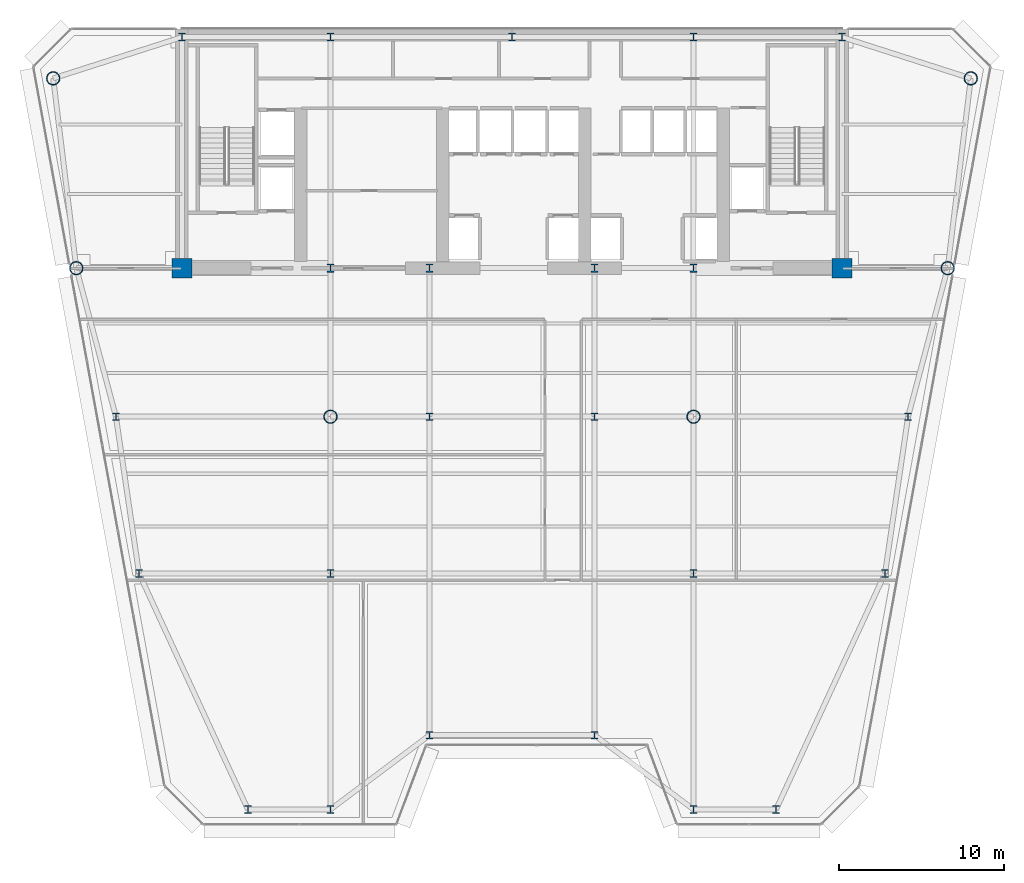
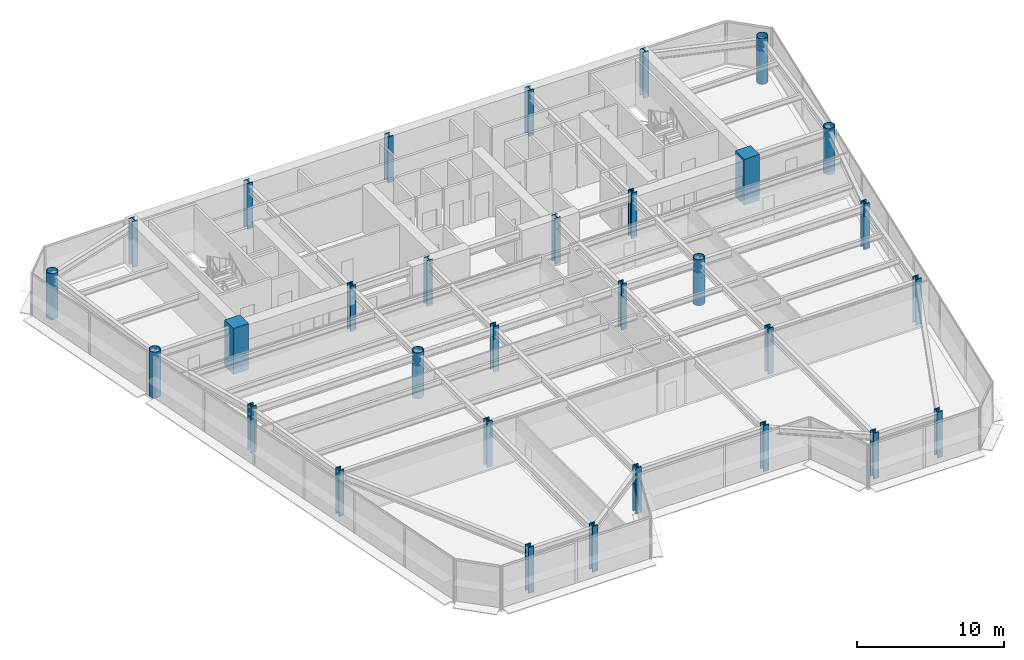
# One storey, part 1 of 17: 31 columns.
"""IFC4 building model written with IfcOpenShell, lengths in metres."""

from ifc_helpers import new_model, si_unit, direction, frame, origin, origin_2d, place, context, subcontext, project, spatial, rectangle, hollow_circle, i_section, extrude, source, transform, mapped, material, material_profile, profile_set, type_object, element, save


model = new_model("IFC4")

# Units and contexts
model_context = context("Model", 3, precision=1e-05, world=origin(), true_north=direction((0.0, 1.0)))
body_context = subcontext(model_context, "Body", "Model", "MODEL_VIEW")
ifc_project = project(units=[si_unit("LENGTHUNIT", "METRE"), si_unit("AREAUNIT", "SQUARE_METRE"), si_unit("VOLUMEUNIT", "CUBIC_METRE"), si_unit("PLANEANGLEUNIT", "RADIAN"), si_unit("MASSUNIT", "GRAM", prefix="KILO")], contexts=[model_context])

# Site, building, storey
site_placement = place(None, origin())
site = spatial("IfcSite", under=ifc_project, at=site_placement, CompositionType="ELEMENT")
building_placement = place(site_placement, origin())
building = spatial("IfcBuilding", under=site, at=building_placement, Name="Vaeldorn Concourse Tower", CompositionType="ELEMENT")
storey_placement = place(building_placement, frame((0.0, 0.0, 165.199951171875)))
storey = spatial("IfcBuildingStorey", under=building, at=storey_placement, Name="L42", CompositionType="ELEMENT", Elevation=165.199951171875)

# Columns
ifc_material_1 = material(Name="Concrete C50/60", Category="concrete")
ifc_material_profile_1 = material_profile(ifc_material_1, rectangle(XDim=1.199951171875, YDim=1.199951171875, at=origin_2d()), Name="RC 1200x1200")
ifc_profile_set_1 = profile_set([ifc_material_profile_1], Name="Concrete C50/60")
column_type_1 = type_object("IfcColumnType", Name="COL-RC1200", PredefinedType="COLUMN", material=ifc_profile_set_1)
shared_shape_1 = source(origin(), body_context, "Body", "SweptSolid", [
    extrude(rectangle(XDim=1.199951171875, YDim=1.199951171875, at=origin_2d()), origin(), (0.0, 0.0, 1.0), 3.800048828125),
])
for number, where, z_axis, x_axis, name in (
    (1, (14.0, 36.5, 0.0), (0.0, 0.0, 1.0), (1.0, 0.0, 0.0), "Column C-FC1 L42"),
    (2, (54.0, 36.5, 0.0), (0.0, 0.0, 1.0), (1.0, 0.0, 0.0), "Column C-FC6 L42"),
):
    element("IfcColumn", number, at=place(storey_placement, frame(where, z_axis=z_axis, x_axis=x_axis)), inside=storey, type_object=column_type_1, Name=name, PredefinedType="COLUMN", context=body_context, shape_type="MappedRepresentation", body=[
        mapped(shared_shape_1, transform((0.0, 0.0, 0.0), scale=1.0)),
    ])
ifc_material_2 = material(Name="Steel S460", Category="steel")
ifc_material_profile_2 = material_profile(ifc_material_2, i_section(OverallWidth=0.431884765625, OverallDepth=0.498046875, WebThickness=0.054931640625, FlangeThickness=0.068115234375, FilletRadius=0.014892578125, at=origin_2d()), Name="HD 400x744")
ifc_profile_set_2 = profile_set([ifc_material_profile_2], Name="Steel S460")
column_type_2 = type_object("IfcColumnType", Name="COL-HD744", PredefinedType="COLUMN", material=ifc_profile_set_2)
shared_shape_2 = source(origin(), body_context, "Body", "SweptSolid", [
    extrude(i_section(OverallWidth=0.431884765625, OverallDepth=0.498046875, WebThickness=0.054931640625, FlangeThickness=0.068115234375, FilletRadius=0.014892578125, at=origin_2d()), origin(), (0.0, 0.0, 1.0), 3.800048828125),
])
for number, where, z_axis, x_axis, name in (
    (3, (23.0, 36.5, 0.0), (0.0, 0.0, 1.0), (1.0, 0.0, 0.0), "Column C-FC2 L42"),
    (4, (29.0, 36.5, 0.0), (0.0, 0.0, 1.0), (1.0, 0.0, 0.0), "Column C-FC3 L42"),
    (5, (39.0, 36.5, 0.0), (0.0, 0.0, 1.0), (1.0, 0.0, 0.0), "Column C-FC4 L42"),
    (6, (45.0, 36.5, 0.0), (0.0, 0.0, 1.0), (1.0, 0.0, 0.0), "Column C-FC5 L42"),
    (7, (14.0, 50.5, 0.0), (0.0, 0.0, 1.0), (1.0, 0.0, 0.0), "Column C-HC1 L42"),
    (8, (23.0, 50.5, 0.0), (0.0, 0.0, 1.0), (1.0, 0.0, 0.0), "Column C-HC2 L42"),
    (9, (34.0, 50.5, 0.0), (0.0, 0.0, 1.0), (1.0, 0.0, 0.0), "Column C-HC3 L42"),
    (10, (45.0, 50.5, 0.0), (0.0, 0.0, 1.0), (1.0, 0.0, 0.0), "Column C-HC4 L42"),
    (11, (54.0, 50.5, 0.0), (0.0, 0.0, 1.0), (1.0, 0.0, 0.0), "Column C-HC5 L42"),
):
    element("IfcColumn", number, at=place(storey_placement, frame(where, z_axis=z_axis, x_axis=x_axis)), inside=storey, type_object=column_type_2, Name=name, PredefinedType="COLUMN", context=body_context, shape_type="MappedRepresentation", body=[
        mapped(shared_shape_2, transform((0.0, 0.0, 0.0), scale=1.0)),
    ])
ifc_material_profile_3 = material_profile(ifc_material_2, hollow_circle(Radius=0.406494140625, WallThickness=0.0400390625, at=origin_2d()), Name="CHS 813x40")
ifc_profile_set_3 = profile_set([ifc_material_profile_3], Name="Steel S460")
column_type_3 = type_object("IfcColumnType", Name="COL-CHS813", PredefinedType="COLUMN", material=ifc_profile_set_3)
shared_shape_3 = source(origin(), body_context, "Body", "SweptSolid", [
    extrude(hollow_circle(Radius=0.406494140625, WallThickness=0.0400390625, at=origin_2d()), origin(), (0.0, 0.0, 1.0), 3.800048828125),
])
for number, where, z_axis, x_axis, name in (
    (12, (6.199951171875, 48.0, 0.0), (0.0, 0.0, 1.0), (1.0, 0.0, 0.0), "Column C-NW1 L42"),
    (13, (7.60009765625, 36.5, 0.0), (0.0, 0.0, 1.0), (1.0, 0.0, 0.0), "Column C-NW2 L42"),
    (14, (61.800048828125, 48.0, 0.0), (0.0, 0.0, 1.0), (1.0, 0.0, 0.0), "Column C-NE1 L42"),
    (15, (60.39990234375, 36.5, 0.0), (0.0, 0.0, 1.0), (1.0, 0.0, 0.0), "Column C-NE2 L42"),
    (16, (23.0, 27.5, 0.0), (0.0, 0.0, 1.0), (1.0, 0.0, 0.0), "Column C-TW1 L42"),
    (17, (45.0, 27.5, 0.0), (0.0, 0.0, 1.0), (1.0, 0.0, 0.0), "Column C-TW4 L42"),
):
    element("IfcColumn", number, at=place(storey_placement, frame(where, z_axis=z_axis, x_axis=x_axis)), inside=storey, type_object=column_type_3, Name=name, PredefinedType="COLUMN", context=body_context, shape_type="MappedRepresentation", body=[
        mapped(shared_shape_3, transform((0.0, 0.0, 0.0), scale=1.0)),
    ])
ifc_material_profile_4 = material_profile(ifc_material_2, i_section(OverallWidth=0.424072265625, OverallDepth=0.47412109375, WebThickness=0.047119140625, FlangeThickness=0.06494140625, FilletRadius=0.014892578125, at=origin_2d()), Name="HD 400x634")
ifc_profile_set_4 = profile_set([ifc_material_profile_4], Name="Steel S460")
column_type_4 = type_object("IfcColumnType", Name="COL-HD634F", PredefinedType="COLUMN", material=ifc_profile_set_4)
shared_shape_4 = source(origin(), body_context, "Body", "SweptSolid", [
    extrude(i_section(OverallWidth=0.424072265625, OverallDepth=0.47412109375, WebThickness=0.047119140625, FlangeThickness=0.06494140625, FilletRadius=0.014892578125, at=origin_2d()), origin(), (0.0, 0.0, 1.0), 3.800048828125),
])
for number, where, z_axis, x_axis, name in (
    (18, (10.0, 27.5, 0.0), (0.0, 0.0, 1.0), (1.0, 0.0, 0.0), "Column C-FLW1 L42"),
    (19, (11.39990234375, 18.0, 0.0), (0.0, 0.0, 1.0), (1.0, 0.0, 0.0), "Column C-FLW2 L42"),
    (20, (58.0, 27.5, 0.0), (0.0, 0.0, 1.0), (1.0, 0.0, 0.0), "Column C-FLE1 L42"),
    (21, (56.60009765625, 18.0, 0.0), (0.0, 0.0, 1.0), (1.0, 0.0, 0.0), "Column C-FLE2 L42"),
):
    element("IfcColumn", number, at=place(storey_placement, frame(where, z_axis=z_axis, x_axis=x_axis)), inside=storey, type_object=column_type_4, Name=name, PredefinedType="COLUMN", context=body_context, shape_type="MappedRepresentation", body=[
        mapped(shared_shape_4, transform((0.0, 0.0, 0.0), scale=1.0)),
    ])
ifc_material_profile_5 = material_profile(ifc_material_2, i_section(OverallWidth=0.424072265625, OverallDepth=0.47412109375, WebThickness=0.047119140625, FlangeThickness=0.06494140625, FilletRadius=0.014892578125, at=origin_2d()), Name="HD 400x634")
ifc_profile_set_5 = profile_set([ifc_material_profile_5], Name="Steel S460")
column_type_5 = type_object("IfcColumnType", Name="COL-HD634T", PredefinedType="COLUMN", material=ifc_profile_set_5)
shared_shape_5 = source(origin(), body_context, "Body", "SweptSolid", [
    extrude(i_section(OverallWidth=0.424072265625, OverallDepth=0.47412109375, WebThickness=0.047119140625, FlangeThickness=0.06494140625, FilletRadius=0.014892578125, at=origin_2d()), origin(), (0.0, 0.0, 1.0), 3.800048828125),
])
for number, where, z_axis, x_axis, name in (
    (22, (29.0, 27.5, 0.0), (0.0, 0.0, 1.0), (1.0, 0.0, 0.0), "Column C-TW2 L42"),
    (23, (39.0, 27.5, 0.0), (0.0, 0.0, 1.0), (1.0, 0.0, 0.0), "Column C-TW3 L42"),
    (24, (23.0, 18.0, 0.0), (0.0, 0.0, 1.0), (1.0, 0.0, 0.0), "Column C-TW5 L42"),
    (25, (45.0, 18.0, 0.0), (0.0, 0.0, 1.0), (1.0, 0.0, 0.0), "Column C-TW6 L42"),
    (26, (18.0, 3.699951171875, 0.0), (0.0, 0.0, 1.0), (1.0, 0.0, 0.0), "Column C-SF1 L42"),
    (27, (23.0, 3.699951171875, 0.0), (0.0, 0.0, 1.0), (1.0, 0.0, 0.0), "Column C-SF2 L42"),
    (28, (29.0, 8.199951171875, 0.0), (0.0, 0.0, 1.0), (1.0, 0.0, 0.0), "Column C-SF3 L42"),
    (29, (39.0, 8.199951171875, 0.0), (0.0, 0.0, 1.0), (1.0, 0.0, 0.0), "Column C-SF4 L42"),
    (30, (45.0, 3.699951171875, 0.0), (0.0, 0.0, 1.0), (1.0, 0.0, 0.0), "Column C-SF5 L42"),
    (31, (50.0, 3.699951171875, 0.0), (0.0, 0.0, 1.0), (1.0, 0.0, 0.0), "Column C-SF6 L42"),
):
    element("IfcColumn", number, at=place(storey_placement, frame(where, z_axis=z_axis, x_axis=x_axis)), inside=storey, type_object=column_type_5, Name=name, PredefinedType="COLUMN", context=body_context, shape_type="MappedRepresentation", body=[
        mapped(shared_shape_5, transform((0.0, 0.0, 0.0), scale=1.0)),
    ])

save(model, "model.ifc")
